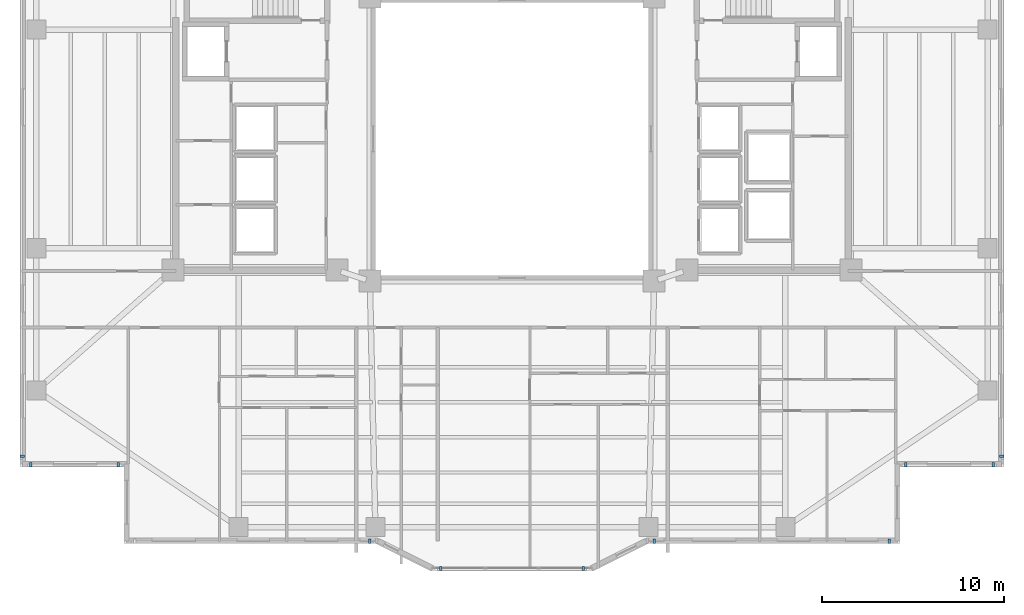
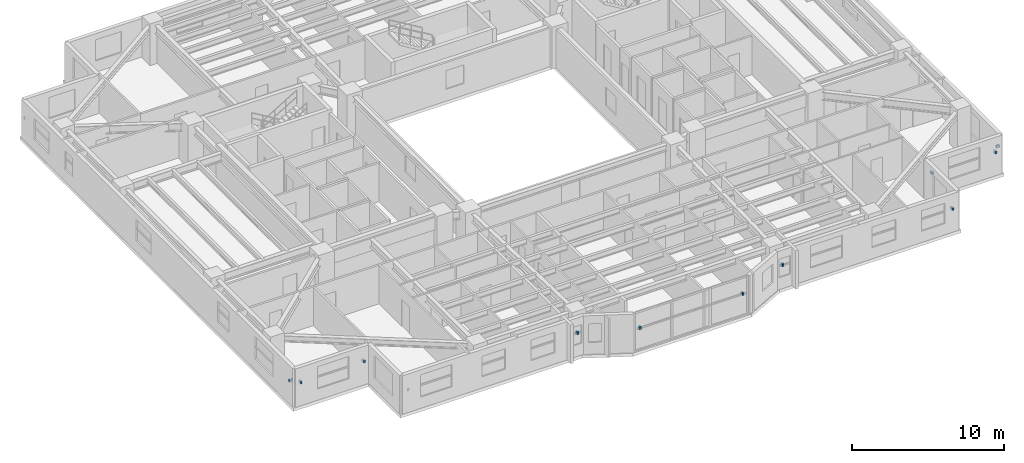
# One storey, part 12 of 18: 11 discrete accessories.
"""IFC4 building model written with IfcOpenShell, lengths in metres."""

from ifc_helpers import new_model, si_unit, direction, frame, origin, origin_2d, place, context, subcontext, project, spatial, rectangle, extrude, material, type_object, element, save


model = new_model("IFC4")

# Units and contexts
model_context = context("Model", 3, precision=1e-05, world=origin(), true_north=direction((0.0, 1.0)))
body_context = subcontext(model_context, "Body", "Model", "MODEL_VIEW")
ifc_project = project(units=[si_unit("LENGTHUNIT", "METRE"), si_unit("AREAUNIT", "SQUARE_METRE"), si_unit("VOLUMEUNIT", "CUBIC_METRE"), si_unit("PLANEANGLEUNIT", "RADIAN"), si_unit("MASSUNIT", "GRAM", prefix="KILO")], contexts=[model_context])

# Site, building, storey
site_placement = place(None, origin())
site = spatial("IfcSite", under=ifc_project, at=site_placement, CompositionType="ELEMENT")
building_placement = place(site_placement, origin())
building = spatial("IfcBuilding", under=site, at=building_placement, Name="Tarnavaz Court Tower", CompositionType="ELEMENT")
storey_placement = place(building_placement, frame((0.0, 0.0, 88.35009765625)))
storey = spatial("IfcBuildingStorey", under=building, at=storey_placement, Name="L23", CompositionType="ELEMENT", Elevation=88.35009765625)

# Discrete accessories
ifc_material = material(Name="Anodised Aluminium 6063-T6", Category="aluminium")
discrete_accessory_type = type_object("IfcDiscreteAccessoryType", Name="DA-BRKT-ALU", PredefinedType="BRACKET", material=ifc_material)
for number, where, z_axis, x_axis, name in (
    (1, (-21.60009765625, -17.8701171875, 1.75), (0.0, 0.0, 1.0), (-1.0, 0.0, 0.0), "L23 Baguette Outrigger Bracket FBG01-1"),
    (2, (-26.39990234375, -17.8701171875, 1.75), (0.0, 0.0, 1.0), (-1.0, 0.0, 0.0), "L23 Baguette Outrigger Bracket FBG01-2"),
    (3, (-26.8701171875, -17.39990234375, 1.75), (0.0, 0.0, 1.0), (0.0, 1.0, 0.0), "L23 Baguette Outrigger Bracket FBG02-1"),
    (4, (26.8701171875, -17.39990234375, 1.75), (0.0, 0.0, 1.0), (0.0, -1.0, 0.0), "L23 Baguette Outrigger Bracket FBG12-2"),
    (5, (26.39990234375, -17.8701171875, 1.75), (0.0, 0.0, 1.0), (-1.0, 0.0, 0.0), "L23 Baguette Outrigger Bracket FBG13-1"),
    (6, (21.60009765625, -17.8701171875, 1.75), (0.0, 0.0, 1.0), (-1.0, 0.0, 0.0), "L23 Baguette Outrigger Bracket FBG13-2"),
    (7, (20.699951171875, -22.070068359375, 1.75), (0.0, 0.0, 1.0), (-1.0, 0.0, 0.0), "L23 Baguette Outrigger Bracket FBG15-1"),
    (8, (7.800048828125, -22.070068359375, 1.75), (0.0, 0.0, 1.0), (-1.0, 0.0, 0.0), "L23 Baguette Outrigger Bracket FBG15-2"),
    (9, (3.89990234375, -23.570068359375, 1.69970703125), (0.0, 0.0, 1.0), (-1.0, 0.0, 0.0), "L23 Baguette Outrigger Bracket PBG17-1"),
    (10, (-3.89990234375, -23.570068359375, 1.69970703125), (0.0, 0.0, 1.0), (-1.0, 0.0, 0.0), "L23 Baguette Outrigger Bracket PBG17-2"),
    (11, (-7.800048828125, -22.070068359375, 1.75), (0.0, 0.0, 1.0), (-1.0, 0.0, 0.0), "L23 Baguette Outrigger Bracket FBG19-1"),
):
    element("IfcDiscreteAccessory", number, at=place(storey_placement, frame(where, z_axis=z_axis, x_axis=x_axis)), inside=storey, type_object=discrete_accessory_type, Name=name, PredefinedType="BRACKET", context=body_context, shape_type="SweptSolid", body=[
        extrude(rectangle(XDim=0.139892578125, YDim=0.239990234375, at=origin_2d()), origin(), (0.0, 0.0, 1.0), 0.199951171875),
    ])

save(model, "model.ifc")
